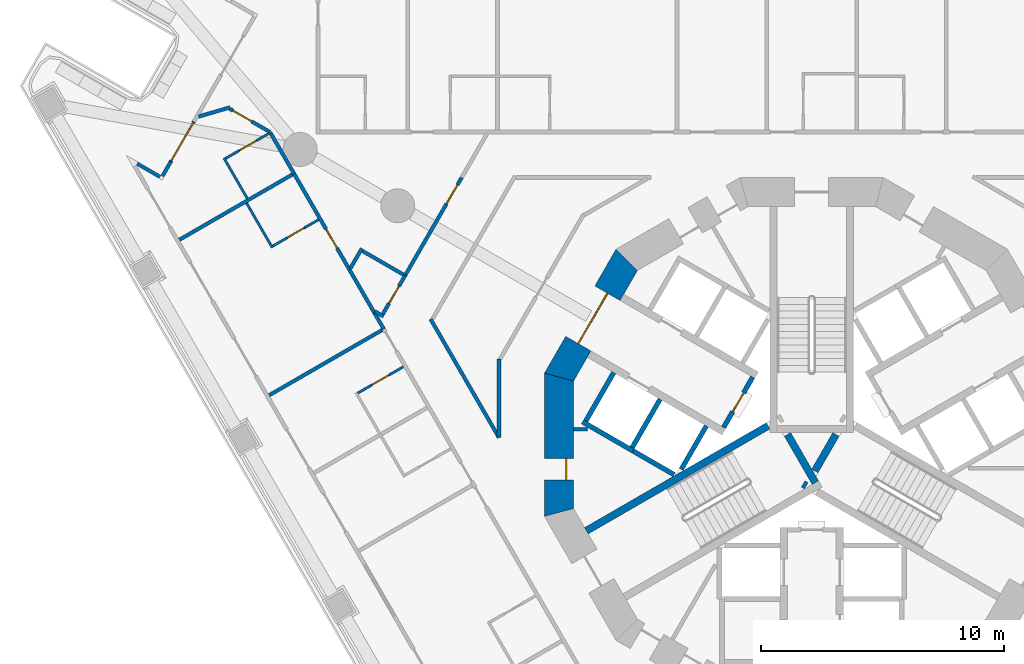
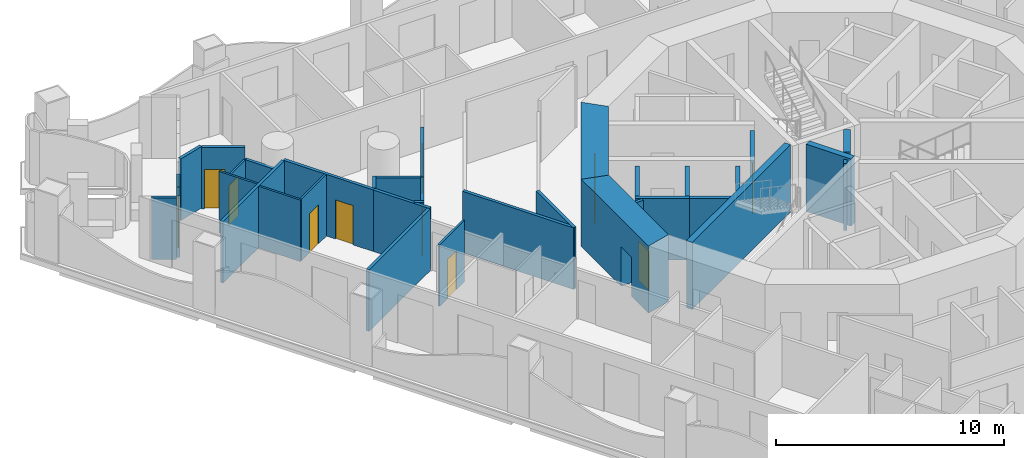
# One storey, part 6 of 20: 35 walls, 11 doors, 11 openings.
"""IFC4 building model written with IfcOpenShell, lengths in metres."""

import ifcopenshell
import ifcopenshell.guid

model = None  # the IFC model being written
_history = None  # IfcOwnerHistory: only IFC2X3 demands one
_inside = {}  # id of a spatial element -> (the spatial element, [elements in it])
_under = {}  # id of a project, library or spatial element -> (it, [spatial elements below it])
_declared = {}  # id of a project -> (the project, [libraries it declares])
_typed = {}  # id of a type object -> (the type object, [elements of that type])
_made_of = {}  # id of a material, layer set ... -> (it, [elements and type objects made of it])


def new_model(schema):
    """Start an empty IFC model of exactly this schema.

    Asked for "IFC4X3", IfcOpenShell would pick the latest addendum, in which some entities
    have other attributes; the version numbers below select the first issue.
    IFC2X3 requires an IfcOwnerHistory on every rooted entity: one is made here for all.
    """
    global model, _history
    if schema == "IFC4X3":
        model = ifcopenshell.file(schema_version=(4, 3, 0, 0))
    else:
        model = ifcopenshell.file(schema=schema)
    _inside.clear()
    _under.clear()
    _declared.clear()
    _typed.clear()
    _made_of.clear()
    _history = None
    if model.schema == "IFC2X3":
        org = make("IfcOrganization", Name="unknown")
        user = make(
            "IfcPersonAndOrganization",
            ThePerson=make("IfcPerson", FamilyName="unknown"),
            TheOrganization=org,
        )
        app = make(
            "IfcApplication",
            ApplicationDeveloper=org,
            Version="unknown",
            ApplicationFullName="unknown",
            ApplicationIdentifier="unknown",
        )
        _history = make(
            "IfcOwnerHistory",
            OwningUser=user,
            OwningApplication=app,
            ChangeAction="ADDED",
            CreationDate=0,
        )
    return model


def make(cls, **values):
    """One entity of the class cls with the attributes given. An attribute that is None is left unset."""
    return model.create_entity(
        cls, **{name: value for name, value in values.items() if value is not None}
    )


def rooted(cls, **values):
    """An entity with a GlobalId (a new one), such as an element, a storey or a relation."""
    return make(cls, GlobalId=ifcopenshell.guid.new(), OwnerHistory=_history, **values)


def si_unit(unit_type, name, prefix=None):
    """IfcSIUnit, for example si_unit("LENGTHUNIT", "METRE", prefix="MILLI")."""
    return make("IfcSIUnit", UnitType=unit_type, Prefix=prefix, Name=name)


def assignment(units):
    """IfcUnitAssignment: the units of a project."""
    return None if units is None else make("IfcUnitAssignment", Units=units)


def point(xyz):
    """IfcCartesianPoint."""
    return None if xyz is None else make("IfcCartesianPoint", Coordinates=xyz)


def direction(xyz):
    """IfcDirection."""
    return None if xyz is None else make("IfcDirection", DirectionRatios=xyz)


def frame(location, z_axis=None, x_axis=None):
    """IfcAxis2Placement3D, a coordinate frame: its origin and axes. An axis left out is left unset."""
    return make(
        "IfcAxis2Placement3D",
        Location=point(location),
        Axis=direction(z_axis),
        RefDirection=direction(x_axis),
    )


def frame_2d(location, x_axis=None):
    """IfcAxis2Placement2D, a coordinate frame in the plane: its origin and x axis."""
    return make(
        "IfcAxis2Placement2D", Location=point(location), RefDirection=direction(x_axis)
    )


def origin():
    """The frame at (0, 0, 0) with its axes left unset."""
    return frame((0.0, 0.0, 0.0))


def place(relative_to, where):
    """IfcLocalPlacement: puts the frame where relative to a parent placement (None: the world)."""
    return make(
        "IfcLocalPlacement", PlacementRelTo=relative_to, RelativePlacement=where
    )


def context(
    kind, dimensions, precision=None, world=None, true_north=None, identifier=None
):
    """IfcGeometricRepresentationContext, for example the 3D "Model" context."""
    return make(
        "IfcGeometricRepresentationContext",
        ContextIdentifier=identifier,
        ContextType=kind,
        CoordinateSpaceDimension=dimensions,
        Precision=precision,
        WorldCoordinateSystem=world,
        TrueNorth=true_north,
    )


def subcontext(parent, identifier, kind, view, scale=None):
    """IfcGeometricRepresentationSubContext, for example "Body" below "Model"."""
    return make(
        "IfcGeometricRepresentationSubContext",
        ContextIdentifier=identifier,
        ContextType=kind,
        ParentContext=parent,
        TargetScale=scale,
        TargetView=view,
    )


def project(units=None, contexts=None):
    """IfcProject with its units and contexts."""
    return rooted(
        "IfcProject",
        Name="project",
        RepresentationContexts=contexts,
        UnitsInContext=assignment(units),
    )


def spatial(cls, under=None, at=None, **own):
    """A site, building, storey or space (cls), placed at a placement, below another one or the project."""
    s = rooted(cls, ObjectPlacement=at, **own)
    if under is not None:
        _under.setdefault(under.id(), (under, []))[1].append(s)
    return s


def polyline(points):
    """IfcPolyline through the points."""
    return make("IfcPolyline", Points=[point(p) for p in points])


def profile(cls, at=None, kind="AREA", **sizes):
    """A parametric profile (cls). Its sizes go by their IFC names, for example OverallWidth=200.0."""
    return make(cls, ProfileType=kind, Position=at, **sizes)


def rectangle(**sizes):
    """IfcRectangleProfileDef."""
    return profile("IfcRectangleProfileDef", **sizes)


def outline(outer, holes=None, kind="AREA"):
    """IfcArbitraryClosedProfileDef: a profile drawn as a closed curve; with holes, ...WithVoids."""
    if holes is None:
        return make("IfcArbitraryClosedProfileDef", ProfileType=kind, OuterCurve=outer)
    return make(
        "IfcArbitraryProfileDefWithVoids",
        ProfileType=kind,
        OuterCurve=outer,
        InnerCurves=holes,
    )


def extrude(swept, where, along, depth):
    """IfcExtrudedAreaSolid: the profile swept, set in the frame where, extruded along a direction by depth."""
    return make(
        "IfcExtrudedAreaSolid",
        SweptArea=swept,
        Position=where,
        ExtrudedDirection=direction(along),
        Depth=depth,
    )


def shape(context_of_items, identifier, shape_type, items):
    """IfcShapeRepresentation: the items that make up one representation, for example the "Body"."""
    return make(
        "IfcShapeRepresentation",
        ContextOfItems=context_of_items,
        RepresentationIdentifier=identifier,
        RepresentationType=shape_type,
        Items=items,
    )


def material(Name=None, Category=None):
    """IfcMaterial."""
    return make("IfcMaterial", Name=Name, Category=Category)


def layer(
    of_material, thickness, ventilated=None, Name=None, Category=None, Priority=None
):
    """IfcMaterialLayer: one layer of a wall or slab, of a material (None: an air gap)."""
    return make(
        "IfcMaterialLayer",
        Material=of_material,
        LayerThickness=thickness,
        IsVentilated=ventilated,
        Name=Name,
        Category=Category,
        Priority=Priority,
    )


def layer_set(layers, Name=None):
    """IfcMaterialLayerSet."""
    return make("IfcMaterialLayerSet", MaterialLayers=layers, LayerSetName=Name)


def made_of(thing, what):
    """Note that an element or type object is made of a material, layer set ...; save() writes the relation."""
    if what is not None:
        _made_of.setdefault(what.id(), (what, []))[1].append(thing)
    return thing


def type_object(cls, material=None, **own):
    """A type object (cls), such as IfcWallType, which elements share."""
    return made_of(rooted(cls, **own), material)


def element(
    cls,
    number,
    at=None,
    inside=None,
    cuts=None,
    type_object=None,
    material=None,
    context=None,
    identifier="Body",
    shape_type=None,
    held_by="IfcProductDefinitionShape",
    body=None,
    shapes=None,
    **own,
):
    """One element of the class cls, such as IfcWall. Its Tag is "e" and its number.

    at: its placement. inside: the storey or other place that contains it. cuts: it is an
    opening in that element (IfcRelVoidsElement). A single representation is given by context,
    identifier, shape_type and body (its items); several are given by shapes. held_by: the class
    of the entity that holds the representations. save() writes the other relations.
    """
    e = rooted(cls, Tag="e%d" % number, ObjectPlacement=at, **own)
    if body is not None:
        shapes = [shape(context, identifier, shape_type, body)]
    if shapes is not None:
        e.Representation = make(held_by, Representations=shapes)
    if inside is not None:
        _inside.setdefault(inside.id(), (inside, []))[1].append(e)
    if cuts is not None:
        rooted(
            "IfcRelVoidsElement", RelatingBuildingElement=cuts, RelatedOpeningElement=e
        )
    if type_object is not None:
        _typed.setdefault(type_object.id(), (type_object, []))[1].append(e)
    return made_of(e, material)


def fill(opening, filler):
    """IfcRelFillsElement: the door or window that sits in an opening."""
    return rooted(
        "IfcRelFillsElement",
        RelatingOpeningElement=opening,
        RelatedBuildingElement=filler,
    )


def aggregate(whole, parts):
    """IfcRelAggregates: a whole, such as a stair, and the parts it consists of."""
    return rooted("IfcRelAggregates", RelatingObject=whole, RelatedObjects=parts)


def save(model, path):
    """Write the relations noted so far, then the file.

    IfcRelAggregates (storeys below a building ...), IfcRelContainedInSpatialStructure (elements
    in a storey), IfcRelDefinesByType, IfcRelAssociatesMaterial and IfcRelDeclares: one each for
    every whole, place, type object, material and project.
    """
    for whole, parts in _under.values():
        aggregate(whole, parts)
    for where, things in _inside.values():
        rooted(
            "IfcRelContainedInSpatialStructure",
            RelatedElements=things,
            RelatingStructure=where,
        )
    for kind, things in _typed.values():
        rooted("IfcRelDefinesByType", RelatedObjects=things, RelatingType=kind)
    for what, things in _made_of.values():
        rooted("IfcRelAssociatesMaterial", RelatedObjects=things, RelatingMaterial=what)
    for by, libraries in _declared.values():
        rooted("IfcRelDeclares", RelatingContext=by, RelatedDefinitions=libraries)
    model.write(path)


model = new_model("IFC4")

# Units and contexts
model_context = context("Model", 3, precision=1e-05, world=origin(), true_north=direction((0.0, 1.0)))
body_context = subcontext(model_context, "Body", "Model", "MODEL_VIEW")
ifc_project = project(units=[si_unit("LENGTHUNIT", "METRE"), si_unit("AREAUNIT", "SQUARE_METRE"), si_unit("VOLUMEUNIT", "CUBIC_METRE"), si_unit("PLANEANGLEUNIT", "RADIAN"), si_unit("MASSUNIT", "GRAM", prefix="KILO")], contexts=[model_context])

# Site, building, storey
site_placement = place(None, origin())
site = spatial("IfcSite", under=ifc_project, at=site_placement, CompositionType="ELEMENT")
building_placement = place(site_placement, origin())
building = spatial("IfcBuilding", under=site, at=building_placement, Name="Trine Commons Tower", CompositionType="ELEMENT")
storey_placement = place(building_placement, frame((0.0, 0.0, 38.699951171875)))
storey = spatial("IfcBuildingStorey", under=building, at=storey_placement, Name="L08", CompositionType="ELEMENT", Elevation=38.699951171875)

# Walls
ifc_material_1 = material(Name="Plasterboard partition on steel studs", Category="steel")
ifc_layer_1 = layer(ifc_material_1, 0.14990234375)
ifc_layer_set_1 = layer_set([ifc_layer_1], Name="Plasterboard partition on steel studs")
wall_type_1 = type_object("IfcWallType", Name="Core room partition 150 mm, EI 60", PredefinedType="PARTITIONING", material=ifc_layer_set_1)
wall_1_placement = place(storey_placement, frame((70.18798828125, 63.14208984375, 0.0), z_axis=(0.0, 0.0, 1.0), x_axis=(1.0, 0.0, 0.0)))
element("IfcWall", 1, at=wall_1_placement, inside=storey, type_object=wall_type_1, Name="Core room partition L08", PredefinedType="PARTITIONING", context=body_context, shape_type="SweptSolid", body=[
    extrude(rectangle(XDim=0.571044921875, YDim=0.14990234375, at=frame_2d((0.28564453125, 0.0))), origin(), (0.0, 0.0, 1.0), 3.300048828125),
])
ifc_material_2 = material(Name="Aluminium-framed insulated wall panel", Category="aluminium")
ifc_layer_2 = layer(ifc_material_2, 0.14990234375)
ifc_layer_set_2 = layer_set([ifc_layer_2], Name="Aluminium-framed insulated wall panel")
wall_type_2 = type_object("IfcWallType", Name="Glazed frame wall 150, EI 60", PredefinedType="SOLIDWALL", material=ifc_layer_set_2)
wall_2_placement = place(storey_placement, frame((52.074462890625, 74.159912109375, 0.0), z_axis=(0.0, 0.0, 1.0), x_axis=(0.865989100438, -0.500062873969, 0.0)))
element("IfcWall", 2, at=wall_2_placement, inside=storey, type_object=wall_type_2, Name="Glazed frame wall R1", PredefinedType="SOLIDWALL", context=body_context, shape_type="SweptSolid", body=[
    extrude(outline(polyline([(0.1494140625, 0.074951171875), (0.1494140625, -0.074951171875), (1.235107421875, -0.074951171875), (1.235107421875, 0.074951171875), (0.1494140625, 0.074951171875)])), origin(), (0.0, 0.0, 1.0), 3.300048828125),
])
wall_3_placement = place(storey_placement, frame((53.19140625, 73.474609375, 0.0), z_axis=(0.0, 0.0, 1.0), x_axis=(0.499880961361, 0.866094119867, 0.0)))
element("IfcWall", 3, at=wall_3_placement, inside=storey, type_object=wall_type_2, Name="Glazed frame wall P1.1", PredefinedType="SOLIDWALL", context=body_context, shape_type="SweptSolid", body=[
    extrude(outline(polyline([(0.110107421875, -0.074951171875), (0.800048828125, -0.074951171875), (0.800048828125, 0.074951171875), (0.110107421875, 0.074951171875), (0.110107421875, -0.074951171875)])), origin(), (0.0, 0.0, 1.0), 3.300048828125),
])

# Wall, opening, door
wall_4_placement = place(storey_placement, frame((53.59130859375, 74.16748046875, 0.0), z_axis=(0.0, 0.0, 1.0), x_axis=(0.500063520245, 0.865988727248, 0.0)))
wall_4 = element("IfcWall", 4, at=wall_4_placement, inside=storey, type_object=wall_type_2, Name="Glazed frame wall P1.2", PredefinedType="SOLIDWALL", context=body_context, shape_type="SweptSolid", body=[
    extrude(outline(polyline([(0.0, -0.074951171875), (1.89990234375, -0.074951171875), (1.89990234375, 0.074951171875), (0.0, 0.074951171875), (0.0, -0.074951171875)])), origin(), (0.0, 0.0, 1.0), 2.650146484375),
])
opening_1_placement = place(wall_4_placement, frame((0.050048828125, 0.0, 0.0)))
opening_1 = element("IfcOpeningElement", 5, at=opening_1_placement, cuts=wall_4, Name="Opening BD-1P1-01", PredefinedType="OPENING", context=body_context, shape_type="SweptSolid", body=[
    extrude(rectangle(XDim=1.800048828125, YDim=2.60009765625, at=frame_2d((0.89990234375, 1.300048828125))), frame((0.0, 0.0849609375, 0.0), z_axis=(0.0, -1.0, 0.0), x_axis=(1.0, 0.0, 0.0)), (0.0, 0.0, 1.0), 0.169921875),
])
ifc_material_3 = material(Name="Anodised aluminium frame with double glazing", Category="aluminium")
door_type_1 = type_object("IfcDoorType", Name="Sliding loggia door 1800x2600", OperationType="SLIDING_TO_LEFT", PredefinedType="DOOR", material=ifc_material_3)
door_1_placement = place(opening_1_placement, origin())
door_1 = element("IfcDoor", 6, at=door_1_placement, inside=storey, type_object=door_type_1, Name="Loggia door P1 1", OperationType="SLIDING_TO_LEFT", OverallHeight=2.60009765625, OverallWidth=1.800048828125, PredefinedType="DOOR", context=body_context, shape_type="SweptSolid", body=[
    extrude(rectangle(XDim=1.800048828125, YDim=2.60009765625, at=frame_2d((0.89990234375, 1.300048828125))), frame((0.0, 0.02490234375, 0.0), z_axis=(0.0, -1.0, 0.0), x_axis=(1.0, 0.0, 0.0)), (0.0, 0.0, 1.0), 0.050048828125),
])
fill(opening_1, door_1)

ifc_material_4 = material(Name="Fire-rated gypsum shaft wall system")
ifc_layer_3 = layer(ifc_material_4, 0.199951171875)
ifc_layer_set_3 = layer_set([ifc_layer_3], Name="Fire-rated gypsum shaft wall system")
wall_type_3 = type_object("IfcWallType", Name="Lobby end wall 200 mm, EI 120", PredefinedType="PARTITIONING", material=ifc_layer_set_3)
wall_5_placement = place(storey_placement, frame((77.569091796875, 65.2890625, 0.0), z_axis=(0.0, 0.0, 1.0), x_axis=(-0.50012165622, -0.865955154139, 0.0)))
wall_5 = element("IfcWall", 7, at=wall_5_placement, inside=storey, type_object=wall_type_3, Name="Lobby end wall L08", PredefinedType="PARTITIONING", context=body_context, shape_type="SweptSolid", body=[
    extrude(rectangle(XDim=2.39990234375, YDim=0.199951171875, at=frame_2d((1.199951171875, 0.0))), origin(), (0.0, 0.0, 1.0), 3.300048828125),
])
opening_2_placement = place(wall_5_placement, frame((0.749755859375, 0.0, 0.0)))
opening_2 = element("IfcOpeningElement", 8, at=opening_2_placement, cuts=wall_5, Name="Opening K07.07", PredefinedType="OPENING", context=body_context, shape_type="SweptSolid", body=[
    extrude(rectangle(XDim=0.89990234375, YDim=2.10009765625, at=frame_2d((0.449951171875, 1.050048828125))), frame((0.0, 0.10986328125, 0.0), z_axis=(0.0, -1.0, 0.0), x_axis=(1.0, 0.0, 0.0)), (0.0, 0.0, 1.0), 0.219970703125),
])
ifc_material_5 = material(Name="Steel door leaf, fire-rated", Category="steel")
door_type_2 = type_object("IfcDoorType", Name="Riser access door, single leaf 900 x 2100, FD60", OperationType="SINGLE_SWING_LEFT", PredefinedType="DOOR", material=ifc_material_5)
door_2_placement = place(opening_2_placement, frame((0.89990234375, 0.0, 0.0), z_axis=(0.0, 0.0, 1.0), x_axis=(-1.0, 0.0, 0.0)))
door_2 = element("IfcDoor", 9, at=door_2_placement, inside=storey, type_object=door_type_2, Name="Riser door, Mechanical riser L08", OperationType="SINGLE_SWING_RIGHT", OverallHeight=2.10009765625, OverallWidth=0.89990234375, PredefinedType="DOOR", context=body_context, shape_type="SweptSolid", body=[
    extrude(rectangle(XDim=0.89990234375, YDim=2.10009765625, at=frame_2d((0.449951171875, 1.050048828125))), frame((0.0, 0.02490234375, 0.0), z_axis=(0.0, -1.0, 0.0), x_axis=(1.0, 0.0, 0.0)), (0.0, 0.0, 1.0), 0.050048828125),
])
fill(opening_2, door_2)

ifc_material_6 = material(Name="Concrete C80/95", Category="concrete")
ifc_layer_4 = layer(ifc_material_6, 1.199951171875)
ifc_layer_set_4 = layer_set([ifc_layer_4], Name="Concrete C80/95")
wall_type_4 = type_object("IfcWallType", Name="RC shear wall 1200 mm, C80/95", PredefinedType="SHEAR", material=ifc_layer_set_4)
wall_6_placement = place(storey_placement, frame((72.45849609375, 70.260986328125, 0.0), z_axis=(0.0, 0.0, 1.0), x_axis=(-0.499979111662, -0.866037463336, 0.0)))
wall_6 = element("IfcWall", 10, at=wall_6_placement, inside=storey, type_object=wall_type_4, Name="Core wall CWA-06 L08", PredefinedType="SHEAR", context=body_context, shape_type="SweptSolid", body=[
    extrude(outline(polyline([(0.0, -0.60009765625), (5.901123046875, -0.60009765625), (5.57958984375, 0.60009765625), (0.321533203125, 0.60009765625), (0.0, -0.60009765625)])), origin(), (0.0, 0.0, 1.0), 3.60009765625),
])
opening_3_placement = place(wall_6_placement, frame((1.75048828125, 0.0, 0.0)))
opening_3 = element("IfcOpeningElement", 11, at=opening_3_placement, cuts=wall_6, Name="Opening K07.06", PredefinedType="OPENING", context=body_context, shape_type="SweptSolid", body=[
    extrude(rectangle(XDim=2.39990234375, YDim=2.10009765625, at=frame_2d((1.199951171875, 1.050048828125))), frame((0.0, 0.60986328125, 0.0), z_axis=(0.0, -1.0, 0.0), x_axis=(1.0, 0.0, 0.0)), (0.0, 0.0, 1.0), 1.219970703125),
])
ifc_material_7 = material(Name="Steel door leaves, fire-rated", Category="steel")
door_type_3 = type_object("IfcDoorType", Name="Lobby door, double leaf 2400 x 2100, FD60", OperationType="DOUBLE_DOOR_SINGLE_SWING", PredefinedType="DOOR", material=ifc_material_7)
door_3_placement = place(opening_3_placement, origin())
door_3 = element("IfcDoor", 12, at=door_3_placement, inside=storey, type_object=door_type_3, Name="Lobby door, Passenger lift lobby B L08", OperationType="DOUBLE_DOOR_SINGLE_SWING", OverallHeight=2.10009765625, OverallWidth=2.39990234375, PredefinedType="DOOR", context=body_context, shape_type="SweptSolid", body=[
    extrude(rectangle(XDim=2.39990234375, YDim=2.10009765625, at=frame_2d((1.199951171875, 1.050048828125))), frame((0.0, 0.02490234375, 0.0), z_axis=(0.0, -1.0, 0.0), x_axis=(1.0, 0.0, 0.0)), (0.0, 0.0, 1.0), 0.050048828125),
])
fill(opening_3, door_3)

wall_7_placement = place(storey_placement, frame((69.58837890625, 65.450439453125, 0.0), z_axis=(0.0, 0.0, 1.0), x_axis=(0.0, -1.0, 0.0)))
wall_7 = element("IfcWall", 13, at=wall_7_placement, inside=storey, type_object=wall_type_4, Name="Core wall CWA-07 L08", PredefinedType="SHEAR", context=body_context, shape_type="SweptSolid", body=[
    extrude(outline(polyline([(0.0, -0.60009765625), (5.90087890625, -0.60009765625), (5.57958984375, 0.60009765625), (0.321533203125, 0.60009765625), (0.0, -0.60009765625)])), origin(), (0.0, 0.0, 1.0), 3.60009765625),
])
opening_4_placement = place(wall_7_placement, frame((3.508544921875, 0.0, 0.0)))
opening_4 = element("IfcOpeningElement", 14, at=opening_4_placement, cuts=wall_7, Name="Opening K07.14", PredefinedType="OPENING", context=body_context, shape_type="SweptSolid", body=[
    extrude(rectangle(XDim=0.89990234375, YDim=2.10009765625, at=frame_2d((0.449951171875, 1.050048828125))), frame((0.0, 0.60986328125, 0.0), z_axis=(0.0, -1.0, 0.0), x_axis=(1.0, 0.0, 0.0)), (0.0, 0.0, 1.0), 1.219970703125),
])
door_type_4 = type_object("IfcDoorType", Name="Core room door, single leaf 900 x 2100, FD30S", OperationType="SINGLE_SWING_LEFT", PredefinedType="DOOR", material=ifc_material_5)
door_4_placement = place(opening_4_placement, origin())
door_4 = element("IfcDoor", 15, at=door_4_placement, inside=storey, type_object=door_type_4, Name="Door to Print room L08", OperationType="SINGLE_SWING_RIGHT", OverallHeight=2.10009765625, OverallWidth=0.89990234375, PredefinedType="DOOR", context=body_context, shape_type="SweptSolid", body=[
    extrude(rectangle(XDim=0.89990234375, YDim=2.10009765625, at=frame_2d((0.449951171875, 1.050048828125))), frame((0.0, 0.3251953125, 0.0), z_axis=(0.0, -1.0, 0.0), x_axis=(1.0, 0.0, 0.0)), (0.0, 0.0, 1.0), 0.050048828125),
])
fill(opening_4, door_4)

# Walls
ifc_layer_5 = layer(ifc_material_6, 0.300048828125)
ifc_layer_set_5 = layer_set([ifc_layer_5], Name="Concrete C80/95")
wall_type_5 = type_object("IfcWallType", Name="RC shear wall 300 mm, C80/95", PredefinedType="SHEAR", material=ifc_layer_set_5)
wall_8_placement = place(storey_placement, frame((78.199951171875, 63.280029296875, 0.0), z_axis=(0.0, 0.0, 1.0), x_axis=(-0.865965399159, -0.500103916661, 0.0)))
element("IfcWall", 16, at=wall_8_placement, inside=storey, type_object=wall_type_5, Name="Core cross wall SWA-07 L08", PredefinedType="SHEAR", context=body_context, shape_type="SweptSolid", body=[
    extrude(rectangle(XDim=8.642333984375, YDim=0.300048828125, at=frame_2d((4.3212890625, 0.0))), origin(), (0.0, 0.0, 1.0), 3.60009765625),
])
wall_9_placement = place(storey_placement, frame((79.0029296875, 62.926025390625, 0.0), z_axis=(0.0, 0.0, 1.0), x_axis=(0.499965247104, -0.866045467449, 0.0)))
element("IfcWall", 17, at=wall_9_placement, inside=storey, type_object=wall_type_5, Name="Core cross wall SWA-10 L08", PredefinedType="SHEAR", context=body_context, shape_type="SweptSolid", body=[
    extrude(rectangle(XDim=2.292236328125, YDim=0.300048828125, at=frame_2d((1.14599609375, 0.0))), origin(), (0.0, 0.0, 1.0), 3.60009765625),
])
wall_10_placement = place(storey_placement, frame((79.64599609375, 60.885986328125, 0.0), z_axis=(0.0, 0.0, 1.0), x_axis=(0.867331893649, -0.497730234424, 0.0)))
element("IfcWall", 18, at=wall_10_placement, inside=storey, type_object=wall_type_5, Name="Core cross wall SWA-11 L08", PredefinedType="SHEAR", context=body_context, shape_type="SweptSolid", body=[
    extrude(rectangle(XDim=0.148681640625, YDim=0.300048828125, at=frame_2d((0.07421875, 0.0))), origin(), (0.0, 0.0, 1.0), 3.60009765625),
])
wall_11_placement = place(storey_placement, frame((80.1298828125, 61.424072265625, 0.0), z_axis=(0.0, 0.0, 1.0), x_axis=(0.500014901547, 0.866016800201, 0.0)))
element("IfcWall", 19, at=wall_11_placement, inside=storey, type_object=wall_type_5, Name="Core cross wall SWA-12 L08", PredefinedType="SHEAR", context=body_context, shape_type="SweptSolid", body=[
    extrude(rectangle(XDim=1.734375, YDim=0.300048828125, at=frame_2d((0.8671875, 0.0))), origin(), (0.0, 0.0, 1.0), 3.60009765625),
])
ifc_layer_6 = layer(ifc_material_4, 0.199951171875)
ifc_layer_set_6 = layer_set([ifc_layer_6], Name="Fire-rated gypsum shaft wall system")
wall_type_6 = type_object("IfcWallType", Name="Shaft wall 200 mm, EI 120", PredefinedType="PARTITIONING", material=ifc_layer_set_6)
wall_12_placement = place(storey_placement, frame((71.844970703125, 65.47607421875, 0.0), z_axis=(0.0, 0.0, 1.0), x_axis=(-0.500136062276, -0.86594683394, 0.0)))
element("IfcWall", 20, at=wall_12_placement, inside=storey, type_object=wall_type_6, Name="Shaft wall L08", PredefinedType="PARTITIONING", context=body_context, shape_type="SweptSolid", body=[
    extrude(rectangle(XDim=2.299072265625, YDim=0.199951171875, at=frame_2d((1.1494140625, 0.0))), origin(), (0.0, 0.0, 1.0), 3.300048828125),
])
wall_13_placement = place(storey_placement, frame((72.637939453125, 62.248046875, 0.0), z_axis=(0.0, 0.0, 1.0), x_axis=(-0.866177122335, 0.499737123639, 0.0)))
element("IfcWall", 21, at=wall_13_placement, inside=storey, type_object=wall_type_6, Name="Shaft wall L08", PredefinedType="PARTITIONING", context=body_context, shape_type="SweptSolid", body=[
    extrude(rectangle(XDim=2.401123046875, YDim=0.199951171875, at=frame_2d((1.20068359375, 0.0))), origin(), (0.0, 0.0, 1.0), 3.300048828125),
])
wall_14_placement = place(storey_placement, frame((73.7509765625, 64.3759765625, 0.0), z_axis=(0.0, 0.0, 1.0), x_axis=(-0.500136062276, -0.86594683394, 0.0)))
element("IfcWall", 22, at=wall_14_placement, inside=storey, type_object=wall_type_6, Name="Shaft wall L08", PredefinedType="PARTITIONING", context=body_context, shape_type="SweptSolid", body=[
    extrude(rectangle(XDim=2.299072265625, YDim=0.199951171875, at=frame_2d((1.1494140625, 0.0))), origin(), (0.0, 0.0, 1.0), 3.300048828125),
])
wall_15_placement = place(storey_placement, frame((74.324951171875, 61.27294921875, 0.0), z_axis=(0.0, 0.0, 1.0), x_axis=(-0.865780634835, 0.500423712812, 0.0)))
element("IfcWall", 23, at=wall_15_placement, inside=storey, type_object=wall_type_6, Name="Shaft wall L08", PredefinedType="PARTITIONING", context=body_context, shape_type="SweptSolid", body=[
    extrude(rectangle(XDim=1.948486328125, YDim=0.199951171875, at=frame_2d((0.97412109375, 0.0))), origin(), (0.0, 0.0, 1.0), 3.300048828125),
])
wall_16_placement = place(storey_placement, frame((75.656005859375, 63.27587890625, 0.0), z_axis=(0.0, 0.0, 1.0), x_axis=(-0.500271688072, -0.86586848777, 0.0)))
element("IfcWall", 24, at=wall_16_placement, inside=storey, type_object=wall_type_6, Name="Shaft wall L08", PredefinedType="PARTITIONING", context=body_context, shape_type="SweptSolid", body=[
    extrude(rectangle(XDim=2.064697265625, YDim=0.199951171875, at=frame_2d((1.0322265625, 0.0))), origin(), (0.0, 0.0, 1.0), 3.300048828125),
])
ifc_material_8 = material(Name="Gypsum plasterboard on steel stud", Category="steel")
ifc_layer_7 = layer(ifc_material_8, 0.14990234375)
ifc_layer_set_7 = layer_set([ifc_layer_7], Name="Gypsum plasterboard on steel stud")
wall_type_7 = type_object("IfcWallType", Name="Unit and corridor wall 150 mm, EI 60", PredefinedType="PARTITIONING", material=ifc_layer_set_7)
wall_17_placement = place(storey_placement, frame((53.941650390625, 70.946044921875, 0.0), z_axis=(0.0, 0.0, 1.0), x_axis=(0.866012611495, 0.500022156241, 0.0)))
element("IfcWall", 25, at=wall_17_placement, inside=storey, type_object=wall_type_7, Name="Partition 001", PredefinedType="PARTITIONING", context=body_context, shape_type="SweptSolid", body=[
    extrude(rectangle(XDim=5.382568359375, YDim=0.14990234375, at=frame_2d((2.69140625, 0.0))), origin(), (0.0, 0.0, 1.0), 3.300048828125),
])
wall_18_placement = place(storey_placement, frame((54.7353515625, 76.023193359375, 0.0), z_axis=(0.0, 0.0, 1.0), x_axis=(0.959684993382, 0.281077771226, 0.0)))
element("IfcWall", 26, at=wall_18_placement, inside=storey, type_object=wall_type_7, Name="Partition 002", PredefinedType="PARTITIONING", context=body_context, shape_type="SweptSolid", body=[
    extrude(rectangle(XDim=1.34814453125, YDim=0.14990234375, at=frame_2d((0.674072265625, 0.0))), origin(), (0.0, 0.0, 1.0), 3.300048828125),
])

# Wall, opening, door
wall_19_placement = place(storey_placement, frame((56.02197265625, 76.343505859375, 0.0), z_axis=(0.0, 0.0, 1.0), x_axis=(0.866179215651, -0.49973349535, 0.0)))
wall_19 = element("IfcWall", 27, at=wall_19_placement, inside=storey, type_object=wall_type_7, Name="Partition 005", PredefinedType="PARTITIONING", context=body_context, shape_type="SweptSolid", body=[
    extrude(rectangle(XDim=1.9140625, YDim=0.14990234375, at=frame_2d((0.95703125, 0.0))), origin(), (0.0, 0.0, 1.0), 3.300048828125),
])
opening_5_placement = place(wall_19_placement, frame((0.14990234375, 0.0, 0.0)))
opening_5 = element("IfcOpeningElement", 28, at=opening_5_placement, cuts=wall_19, Name="Opening D-1A33", PredefinedType="OPENING", context=body_context, shape_type="SweptSolid", body=[
    extrude(rectangle(XDim=0.89990234375, YDim=2.10009765625, at=frame_2d((0.449951171875, 1.050048828125))), frame((0.0, 0.0849609375, 0.0), z_axis=(0.0, -1.0, 0.0), x_axis=(1.0, 0.0, 0.0)), (0.0, 0.0, 1.0), 0.169921875),
])
ifc_material_9 = material(Name="Timber fire door set", Category="wood")
door_type_5 = type_object("IfcDoorType", Name="Bedroom door 900 x 2100, FD30S", OperationType="NOTDEFINED", PredefinedType="DOOR", material=ifc_material_9)
door_5_placement = place(opening_5_placement, frame((0.89990234375, 0.0, 0.0), z_axis=(0.0, 0.0, 1.0), x_axis=(-1.0, 0.0, 0.0)))
door_5 = element("IfcDoor", 29, at=door_5_placement, inside=storey, type_object=door_type_5, Name="Door D-1A33", OperationType="SINGLE_SWING_RIGHT", OverallHeight=2.10009765625, OverallWidth=0.89990234375, PredefinedType="DOOR", context=body_context, shape_type="SweptSolid", body=[
    extrude(rectangle(XDim=0.89990234375, YDim=2.10009765625, at=frame_2d((0.449951171875, 1.050048828125))), frame((0.0, 0.02490234375, 0.0), z_axis=(0.0, -1.0, 0.0), x_axis=(1.0, 0.0, 0.0)), (0.0, 0.0, 1.0), 0.050048828125),
])
fill(opening_5, door_5)

# Walls
wall_20_placement = place(storey_placement, frame((57.640625, 64.5390625, 0.0), z_axis=(0.0, 0.0, 1.0), x_axis=(0.866012611495, 0.500022156241, 0.0)))
element("IfcWall", 30, at=wall_20_placement, inside=storey, type_object=wall_type_7, Name="Partition 007", PredefinedType="PARTITIONING", context=body_context, shape_type="SweptSolid", body=[
    extrude(rectangle(XDim=5.382568359375, YDim=0.14990234375, at=frame_2d((2.69140625, 0.0))), origin(), (0.0, 0.0, 1.0), 3.300048828125),
])
wall_21_placement = place(storey_placement, frame((57.69091796875, 75.366943359375, 0.0), z_axis=(0.0, 0.0, 1.0), x_axis=(0.500090215447, -0.865973311606, 0.0)))
element("IfcWall", 31, at=wall_21_placement, inside=storey, type_object=wall_type_7, Name="Partition 008", PredefinedType="PARTITIONING", context=body_context, shape_type="SweptSolid", body=[
    extrude(rectangle(XDim=1.953857421875, YDim=0.14990234375, at=frame_2d((0.97705078125, 0.0))), origin(), (0.0, 0.0, 1.0), 2.650146484375),
])

# Wall, opening, door
wall_22_placement = place(storey_placement, frame((58.66796875, 73.675048828125, 0.0), z_axis=(0.0, 0.0, 1.0), x_axis=(0.499810170442, -0.866134974194, 0.0)))
wall_22 = element("IfcWall", 32, at=wall_22_placement, inside=storey, type_object=wall_type_7, Name="Partition 010", PredefinedType="PARTITIONING", context=body_context, shape_type="SweptSolid", body=[
    extrude(rectangle(XDim=4.577880859375, YDim=0.14990234375, at=frame_2d((2.2890625, 0.0))), origin(), (0.0, 0.0, 1.0), 3.300048828125),
])
opening_6_placement = place(wall_22_placement, frame((2.647705078125, 0.0, 0.0)))
opening_6 = element("IfcOpeningElement", 33, at=opening_6_placement, cuts=wall_22, Name="Opening D-1A32", PredefinedType="OPENING", context=body_context, shape_type="SweptSolid", body=[
    extrude(rectangle(XDim=0.89990234375, YDim=2.10009765625, at=frame_2d((0.449951171875, 1.050048828125))), frame((0.0, 0.0849609375, 0.0), z_axis=(0.0, -1.0, 0.0), x_axis=(1.0, 0.0, 0.0)), (0.0, 0.0, 1.0), 0.169921875),
])
door_6_placement = place(opening_6_placement, frame((0.89990234375, 0.0, 0.0), z_axis=(0.0, 0.0, 1.0), x_axis=(-1.0, 0.0, 0.0)))
door_6 = element("IfcDoor", 34, at=door_6_placement, inside=storey, type_object=door_type_5, Name="Door D-1A32", OperationType="SINGLE_SWING_LEFT", OverallHeight=2.10009765625, OverallWidth=0.89990234375, PredefinedType="DOOR", context=body_context, shape_type="SweptSolid", body=[
    extrude(rectangle(XDim=0.89990234375, YDim=2.10009765625, at=frame_2d((0.449951171875, 1.050048828125))), frame((0.0, 0.02490234375, 0.0), z_axis=(0.0, -1.0, 0.0), x_axis=(1.0, 0.0, 0.0)), (0.0, 0.0, 1.0), 0.050048828125),
])
fill(opening_6, door_6)

# Walls
wall_23_placement = place(storey_placement, frame((60.993408203125, 69.77490234375, 0.0), z_axis=(0.0, 0.0, 1.0), x_axis=(0.499692428125, 0.866202907681, 0.0)))
element("IfcWall", 35, at=wall_23_placement, inside=storey, type_object=wall_type_7, Name="Partition 015", PredefinedType="PARTITIONING", context=body_context, shape_type="SweptSolid", body=[
    extrude(rectangle(XDim=0.9384765625, YDim=0.14990234375, at=frame_2d((0.46923828125, 0.0))), origin(), (0.0, 0.0, 1.0), 3.300048828125),
])
wall_24_placement = place(storey_placement, frame((60.9560546875, 69.7099609375, 0.0), z_axis=(0.0, 0.0, 1.0), x_axis=(0.500313606915, -0.865844267022, 0.0)))
element("IfcWall", 36, at=wall_24_placement, inside=storey, type_object=wall_type_7, Name="Partition 016", PredefinedType="PARTITIONING", context=body_context, shape_type="SweptSolid", body=[
    extrude(rectangle(XDim=2.823974609375, YDim=0.14990234375, at=frame_2d((1.412109375, 0.0))), origin(), (0.0, 0.0, 1.0), 3.300048828125),
])
wall_25_placement = place(storey_placement, frame((61.489990234375, 70.485595703125, 0.0), z_axis=(0.0, 0.0, 1.0), x_axis=(0.866008926066, -0.500028539159, 0.0)))
element("IfcWall", 37, at=wall_25_placement, inside=storey, type_object=wall_type_7, Name="Partition 020", PredefinedType="PARTITIONING", context=body_context, shape_type="SweptSolid", body=[
    extrude(rectangle(XDim=2.025390625, YDim=0.14990234375, at=frame_2d((1.0126953125, 0.0))), origin(), (0.0, 0.0, 1.0), 3.300048828125),
])
wall_26_placement = place(storey_placement, frame((61.98388671875, 68.006591796875, 0.0), z_axis=(0.0, 0.0, 1.0), x_axis=(0.866467188461, -0.499234024602, 0.0)))
element("IfcWall", 38, at=wall_26_placement, inside=storey, type_object=wall_type_7, Name="Partition 022", PredefinedType="PARTITIONING", context=body_context, shape_type="SweptSolid", body=[
    extrude(rectangle(XDim=0.432861328125, YDim=0.14990234375, at=frame_2d((0.21630859375, 0.0))), origin(), (0.0, 0.0, 1.0), 3.300048828125),
])

# Wall, opening, door
wall_27_placement = place(storey_placement, frame((62.32958984375, 67.889892578125, 0.0), z_axis=(0.0, 0.0, 1.0), x_axis=(0.500295360516, 0.865854810142, 0.0)))
wall_27 = element("IfcWall", 39, at=wall_27_placement, inside=storey, type_object=wall_type_7, Name="Partition 024", PredefinedType="PARTITIONING", context=body_context, shape_type="SweptSolid", body=[
    extrude(rectangle(XDim=1.83203125, YDim=0.14990234375, at=frame_2d((0.916015625, 0.0))), origin(), (0.0, 0.0, 1.0), 3.300048828125),
])
opening_7_placement = place(wall_27_placement, frame((0.51416015625, 0.0, 0.0)))
opening_7 = element("IfcOpeningElement", 40, at=opening_7_placement, cuts=wall_27, Name="Opening D-1A06", PredefinedType="OPENING", context=body_context, shape_type="SweptSolid", body=[
    extrude(rectangle(XDim=0.800048828125, YDim=2.10009765625, at=frame_2d((0.39990234375, 1.050048828125))), frame((0.0, 0.0849609375, 0.0), z_axis=(0.0, -1.0, 0.0), x_axis=(1.0, 0.0, 0.0)), (0.0, 0.0, 1.0), 0.169921875),
])
ifc_material_10 = material(Name="Painted timber", Category="wood")
door_type_6 = type_object("IfcDoorType", Name="Toilet door 800 x 2100, NOT RATED", OperationType="NOTDEFINED", PredefinedType="DOOR", material=ifc_material_10)
door_7_placement = place(opening_7_placement, origin())
door_7 = element("IfcDoor", 41, at=door_7_placement, inside=storey, type_object=door_type_6, Name="Door D-1A06", OperationType="SINGLE_SWING_LEFT", OverallHeight=2.10009765625, OverallWidth=0.800048828125, PredefinedType="DOOR", context=body_context, shape_type="SweptSolid", body=[
    extrude(rectangle(XDim=0.800048828125, YDim=2.10009765625, at=frame_2d((0.39990234375, 1.050048828125))), frame((0.0, 0.02490234375, 0.0), z_axis=(0.0, -1.0, 0.0), x_axis=(1.0, 0.0, 0.0)), (0.0, 0.0, 1.0), 0.050048828125),
])
fill(opening_7, door_7)

wall_28_placement = place(storey_placement, frame((63.24609375, 69.47607421875, 0.0), z_axis=(0.0, 0.0, 1.0), x_axis=(0.500135267133, 0.865947293182, 0.0)))
wall_28 = element("IfcWall", 42, at=wall_28_placement, inside=storey, type_object=wall_type_7, Name="Partition 027", PredefinedType="PARTITIONING", context=body_context, shape_type="SweptSolid", body=[
    extrude(rectangle(XDim=4.658447265625, YDim=0.14990234375, at=frame_2d((2.3291015625, 0.0))), origin(), (0.0, 0.0, 1.0), 2.699951171875),
])
opening_8_placement = place(wall_28_placement, frame((3.4140625, 0.0, 0.0)))
opening_8 = element("IfcOpeningElement", 43, at=opening_8_placement, cuts=wall_28, Name="Opening D-1A03", PredefinedType="OPENING", context=body_context, shape_type="SweptSolid", body=[
    extrude(rectangle(XDim=0.89990234375, YDim=2.10009765625, at=frame_2d((0.449951171875, 1.050048828125))), frame((0.0, 0.0849609375, 0.0), z_axis=(0.0, -1.0, 0.0), x_axis=(1.0, 0.0, 0.0)), (0.0, 0.0, 1.0), 0.169921875),
])
door_type_7 = type_object("IfcDoorType", Name="Cluster entrance door 900 x 2100, FD30S", OperationType="NOTDEFINED", PredefinedType="DOOR", material=ifc_material_9)
door_8_placement = place(opening_8_placement, origin())
door_8 = element("IfcDoor", 44, at=door_8_placement, inside=storey, type_object=door_type_7, Name="Door D-1A03", OperationType="SINGLE_SWING_RIGHT", OverallHeight=2.10009765625, OverallWidth=0.89990234375, PredefinedType="DOOR", context=body_context, shape_type="SweptSolid", body=[
    extrude(rectangle(XDim=0.89990234375, YDim=2.10009765625, at=frame_2d((0.449951171875, 1.050048828125))), frame((0.0, 0.02490234375, 0.0), z_axis=(0.0, -1.0, 0.0), x_axis=(1.0, 0.0, 0.0)), (0.0, 0.0, 1.0), 0.050048828125),
])
fill(opening_8, door_8)

# Walls
wall_29_placement = place(storey_placement, frame((64.29638671875, 67.676025390625, 0.0), z_axis=(0.0, 0.0, 1.0), x_axis=(0.499975045044, -0.866039811056, 0.0)))
element("IfcWall", 45, at=wall_29_placement, inside=storey, type_object=wall_type_7, Name="Partition 029", PredefinedType="PARTITIONING", context=body_context, shape_type="SweptSolid", body=[
    extrude(rectangle(XDim=5.633544921875, YDim=0.14990234375, at=frame_2d((2.81689453125, 0.0))), origin(), (0.0, 0.0, 1.0), 3.300048828125),
])
wall_30_placement = place(storey_placement, frame((67.113037109375, 62.79296875, 0.0), z_axis=(0.0, 0.0, 1.0), x_axis=(0.0, 1.0, 0.0)))
element("IfcWall", 46, at=wall_30_placement, inside=storey, type_object=wall_type_7, Name="Partition 038", PredefinedType="PARTITIONING", context=body_context, shape_type="SweptSolid", body=[
    extrude(rectangle(XDim=3.235107421875, YDim=0.14990234375, at=frame_2d((1.61767578125, 0.0))), origin(), (0.0, 0.0, 1.0), 3.300048828125),
])
ifc_layer_8 = layer(ifc_material_8, 0.10009765625)
ifc_layer_set_8 = layer_set([ifc_layer_8], Name="Gypsum plasterboard on steel stud")
wall_type_8 = type_object("IfcWallType", Name="Unit partition 100 mm, no rating", PredefinedType="PARTITIONING", material=ifc_layer_set_8)
wall_31_placement = place(storey_placement, frame((55.780029296875, 74.3173828125, 0.0), z_axis=(0.0, 0.0, 1.0), x_axis=(0.499876134923, -0.86609690551, 0.0)))
element("IfcWall", 47, at=wall_31_placement, inside=storey, type_object=wall_type_8, Name="Partition 003", PredefinedType="PARTITIONING", context=body_context, shape_type="SweptSolid", body=[
    extrude(rectangle(XDim=1.92529296875, YDim=0.10009765625, at=frame_2d((0.962646484375, 0.0))), origin(), (0.0, 0.0, 1.0), 3.300048828125),
])

# Wall, opening, door
wall_32_placement = place(storey_placement, frame((55.848388671875, 74.299072265625, 0.0), z_axis=(0.0, 0.0, 1.0), x_axis=(0.866048165231, 0.499960573946, 0.0)))
wall_32 = element("IfcWall", 48, at=wall_32_placement, inside=storey, type_object=wall_type_8, Name="Partition 004", PredefinedType="PARTITIONING", context=body_context, shape_type="SweptSolid", body=[
    extrude(rectangle(XDim=2.130126953125, YDim=0.10009765625, at=frame_2d((1.06494140625, 0.0))), origin(), (0.0, 0.0, 1.0), 2.650146484375),
])
opening_9_placement = place(wall_32_placement, frame((0.6650390625, 0.0, 0.0)))
opening_9 = element("IfcOpeningElement", 49, at=opening_9_placement, cuts=wall_32, Name="Opening D-1A65", PredefinedType="OPENING", context=body_context, shape_type="SweptSolid", body=[
    extrude(rectangle(XDim=0.800048828125, YDim=2.10009765625, at=frame_2d((0.39990234375, 1.050048828125))), frame((0.0, 0.06005859375, 0.0), z_axis=(0.0, -1.0, 0.0), x_axis=(1.0, 0.0, 0.0)), (0.0, 0.0, 1.0), 0.1201171875),
])
door_type_8 = type_object("IfcDoorType", Name="Internal door 800 x 2100, NOT RATED", OperationType="NOTDEFINED", PredefinedType="DOOR", material=ifc_material_10)
door_9_placement = place(opening_9_placement, origin())
door_9 = element("IfcDoor", 50, at=door_9_placement, inside=storey, type_object=door_type_8, Name="Door D-1A65", OperationType="SINGLE_SWING_RIGHT", OverallHeight=2.10009765625, OverallWidth=0.800048828125, PredefinedType="DOOR", context=body_context, shape_type="SweptSolid", body=[
    extrude(rectangle(XDim=0.800048828125, YDim=2.10009765625, at=frame_2d((0.39990234375, 1.050048828125))), frame((0.0, 0.02490234375, 0.0), z_axis=(0.0, -1.0, 0.0), x_axis=(1.0, 0.0, 0.0)), (0.0, 0.0, 1.0), 0.050048828125),
])
fill(opening_9, door_9)

# Wall
wall_33_placement = place(storey_placement, frame((56.71337890625, 72.4599609375, 0.0), z_axis=(0.0, 0.0, 1.0), x_axis=(0.499994284652, -0.866028703517, 0.0)))
element("IfcWall", 51, at=wall_33_placement, inside=storey, type_object=wall_type_8, Name="Partition 006", PredefinedType="PARTITIONING", context=body_context, shape_type="SweptSolid", body=[
    extrude(rectangle(XDim=2.125, YDim=0.10009765625, at=frame_2d((1.0625, 0.0))), origin(), (0.0, 0.0, 1.0), 3.300048828125),
])

# Wall, opening, door
wall_34_placement = place(storey_placement, frame((57.794189453125, 70.68798828125, 0.0), z_axis=(0.0, 0.0, 1.0), x_axis=(0.866065968399, 0.499929733443, 0.0)))
wall_34 = element("IfcWall", 52, at=wall_34_placement, inside=storey, type_object=wall_type_8, Name="Partition 009", PredefinedType="PARTITIONING", context=body_context, shape_type="SweptSolid", body=[
    extrude(rectangle(XDim=2.175048828125, YDim=0.10009765625, at=frame_2d((1.08740234375, 0.0))), origin(), (0.0, 0.0, 1.0), 3.300048828125),
])
opening_10_placement = place(wall_34_placement, frame((0.6875, 0.0, 0.0)))
opening_10 = element("IfcOpeningElement", 53, at=opening_10_placement, cuts=wall_34, Name="Opening D-1A64", PredefinedType="OPENING", context=body_context, shape_type="SweptSolid", body=[
    extrude(rectangle(XDim=0.800048828125, YDim=2.10009765625, at=frame_2d((0.39990234375, 1.050048828125))), frame((0.0, 0.06005859375, 0.0), z_axis=(0.0, -1.0, 0.0), x_axis=(1.0, 0.0, 0.0)), (0.0, 0.0, 1.0), 0.1201171875),
])
door_10_placement = place(opening_10_placement, frame((0.800048828125, 0.0, 0.0), z_axis=(0.0, 0.0, 1.0), x_axis=(-1.0, 0.0, 0.0)))
door_10 = element("IfcDoor", 54, at=door_10_placement, inside=storey, type_object=door_type_8, Name="Door D-1A64", OperationType="SINGLE_SWING_LEFT", OverallHeight=2.10009765625, OverallWidth=0.800048828125, PredefinedType="DOOR", context=body_context, shape_type="SweptSolid", body=[
    extrude(rectangle(XDim=0.800048828125, YDim=2.10009765625, at=frame_2d((0.39990234375, 1.050048828125))), frame((0.0, 0.02490234375, 0.0), z_axis=(0.0, -1.0, 0.0), x_axis=(1.0, 0.0, 0.0)), (0.0, 0.0, 1.0), 0.050048828125),
])
fill(opening_10, door_10)

wall_35_placement = place(storey_placement, frame((61.293212890625, 64.62890625, 0.0), z_axis=(0.0, 0.0, 1.0), x_axis=(0.865905060694, 0.500208382442, 0.0)))
wall_35 = element("IfcWall", 55, at=wall_35_placement, inside=storey, type_object=wall_type_8, Name="Partition 018", PredefinedType="PARTITIONING", context=body_context, shape_type="SweptSolid", body=[
    extrude(rectangle(XDim=2.17431640625, YDim=0.10009765625, at=frame_2d((1.087158203125, 0.0))), origin(), (0.0, 0.0, 1.0), 3.300048828125),
])
opening_11_placement = place(wall_35_placement, frame((0.68701171875, 0.0, 0.0)))
opening_11 = element("IfcOpeningElement", 56, at=opening_11_placement, cuts=wall_35, Name="Opening D-1A63", PredefinedType="OPENING", context=body_context, shape_type="SweptSolid", body=[
    extrude(rectangle(XDim=0.800048828125, YDim=2.10009765625, at=frame_2d((0.39990234375, 1.050048828125))), frame((0.0, 0.06005859375, 0.0), z_axis=(0.0, -1.0, 0.0), x_axis=(1.0, 0.0, 0.0)), (0.0, 0.0, 1.0), 0.1201171875),
])
door_11_placement = place(opening_11_placement, origin())
door_11 = element("IfcDoor", 57, at=door_11_placement, inside=storey, type_object=door_type_8, Name="Door D-1A63", OperationType="SINGLE_SWING_LEFT", OverallHeight=2.10009765625, OverallWidth=0.800048828125, PredefinedType="DOOR", context=body_context, shape_type="SweptSolid", body=[
    extrude(rectangle(XDim=0.800048828125, YDim=2.10009765625, at=frame_2d((0.39990234375, 1.050048828125))), frame((0.0, 0.02490234375, 0.0), z_axis=(0.0, -1.0, 0.0), x_axis=(1.0, 0.0, 0.0)), (0.0, 0.0, 1.0), 0.050048828125),
])
fill(opening_11, door_11)

save(model, "model.ifc")
